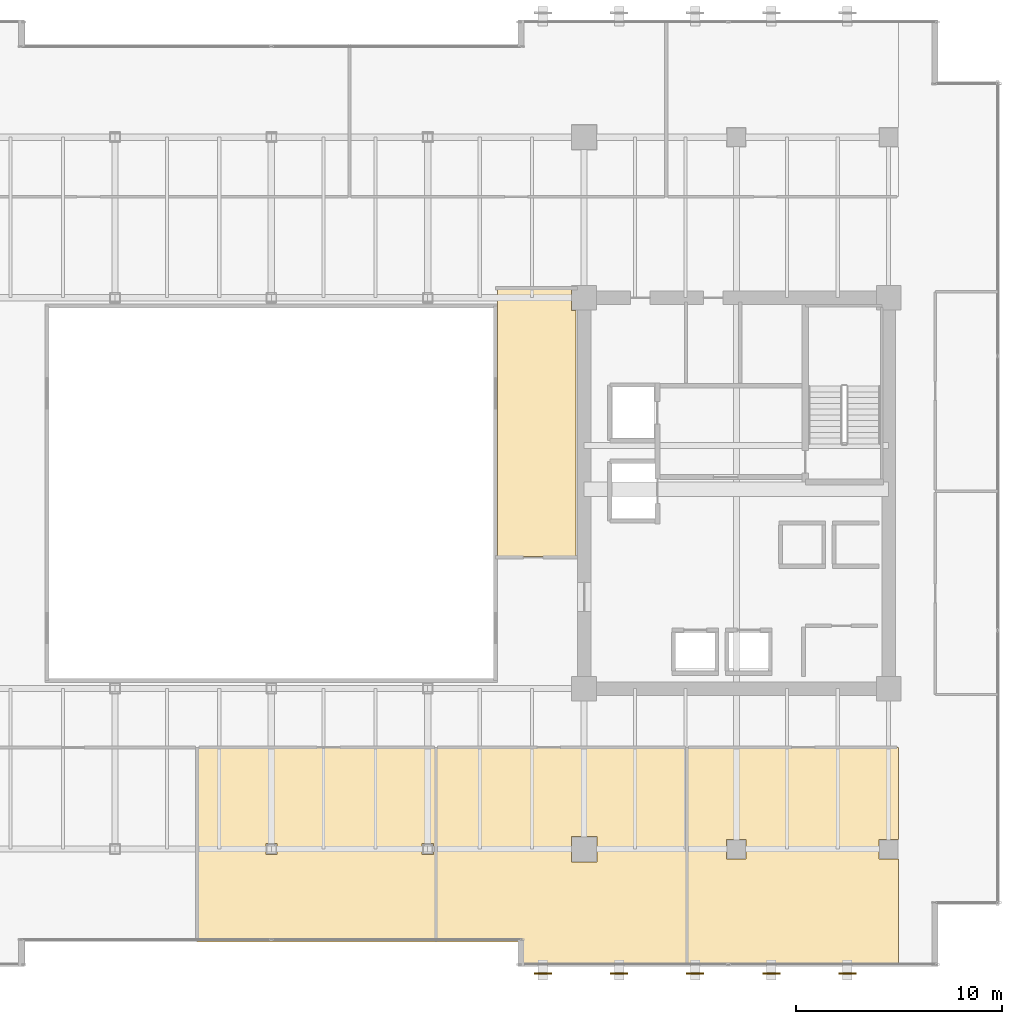
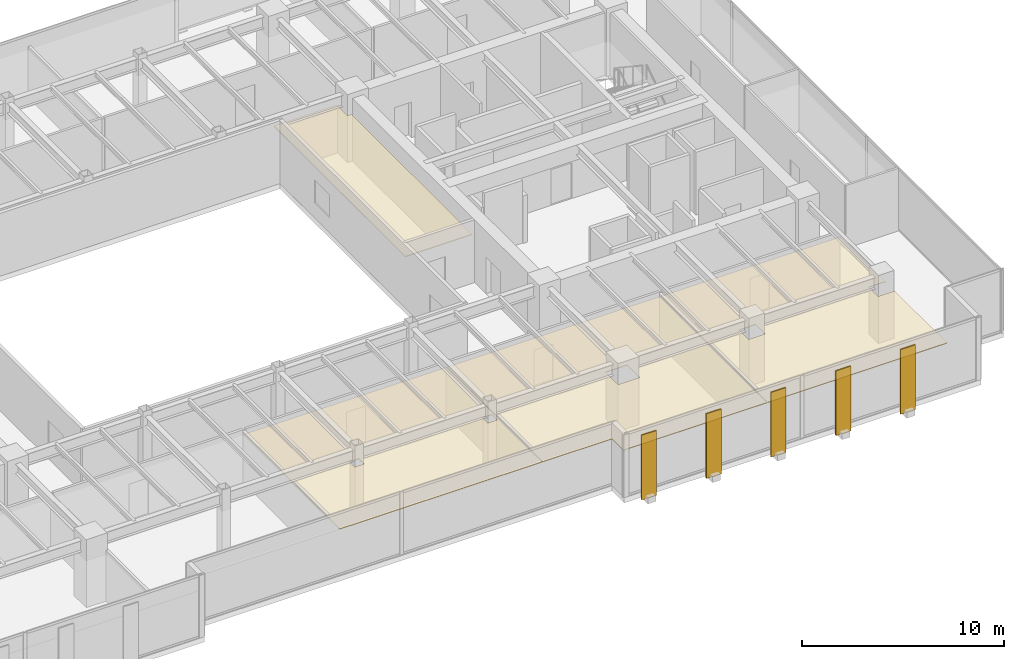
# One storey, part 32 of 34: 5 shading devices, 4 coverings.
"""IFC4 building model written with IfcOpenShell, lengths in metres."""

import ifcopenshell
import ifcopenshell.guid

model = None  # the IFC model being written
_history = None  # IfcOwnerHistory: only IFC2X3 demands one
_inside = {}  # id of a spatial element -> (the spatial element, [elements in it])
_under = {}  # id of a project, library or spatial element -> (it, [spatial elements below it])
_declared = {}  # id of a project -> (the project, [libraries it declares])
_typed = {}  # id of a type object -> (the type object, [elements of that type])
_made_of = {}  # id of a material, layer set ... -> (it, [elements and type objects made of it])


def new_model(schema):
    """Start an empty IFC model of exactly this schema.

    Asked for "IFC4X3", IfcOpenShell would pick the latest addendum, in which some entities
    have other attributes; the version numbers below select the first issue.
    IFC2X3 requires an IfcOwnerHistory on every rooted entity: one is made here for all.
    """
    global model, _history
    if schema == "IFC4X3":
        model = ifcopenshell.file(schema_version=(4, 3, 0, 0))
    else:
        model = ifcopenshell.file(schema=schema)
    _inside.clear()
    _under.clear()
    _declared.clear()
    _typed.clear()
    _made_of.clear()
    _history = None
    if model.schema == "IFC2X3":
        org = make("IfcOrganization", Name="unknown")
        user = make(
            "IfcPersonAndOrganization",
            ThePerson=make("IfcPerson", FamilyName="unknown"),
            TheOrganization=org,
        )
        app = make(
            "IfcApplication",
            ApplicationDeveloper=org,
            Version="unknown",
            ApplicationFullName="unknown",
            ApplicationIdentifier="unknown",
        )
        _history = make(
            "IfcOwnerHistory",
            OwningUser=user,
            OwningApplication=app,
            ChangeAction="ADDED",
            CreationDate=0,
        )
    return model


def make(cls, **values):
    """One entity of the class cls with the attributes given. An attribute that is None is left unset."""
    return model.create_entity(
        cls, **{name: value for name, value in values.items() if value is not None}
    )


def rooted(cls, **values):
    """An entity with a GlobalId (a new one), such as an element, a storey or a relation."""
    return make(cls, GlobalId=ifcopenshell.guid.new(), OwnerHistory=_history, **values)


def si_unit(unit_type, name, prefix=None):
    """IfcSIUnit, for example si_unit("LENGTHUNIT", "METRE", prefix="MILLI")."""
    return make("IfcSIUnit", UnitType=unit_type, Prefix=prefix, Name=name)


def assignment(units):
    """IfcUnitAssignment: the units of a project."""
    return None if units is None else make("IfcUnitAssignment", Units=units)


def point(xyz):
    """IfcCartesianPoint."""
    return None if xyz is None else make("IfcCartesianPoint", Coordinates=xyz)


def direction(xyz):
    """IfcDirection."""
    return None if xyz is None else make("IfcDirection", DirectionRatios=xyz)


def frame(location, z_axis=None, x_axis=None):
    """IfcAxis2Placement3D, a coordinate frame: its origin and axes. An axis left out is left unset."""
    return make(
        "IfcAxis2Placement3D",
        Location=point(location),
        Axis=direction(z_axis),
        RefDirection=direction(x_axis),
    )


def frame_2d(location, x_axis=None):
    """IfcAxis2Placement2D, a coordinate frame in the plane: its origin and x axis."""
    return make(
        "IfcAxis2Placement2D", Location=point(location), RefDirection=direction(x_axis)
    )


def origin():
    """The frame at (0, 0, 0) with its axes left unset."""
    return frame((0.0, 0.0, 0.0))


def origin_2d():
    """The frame at (0, 0) in the plane with its x axis left unset."""
    return frame_2d((0.0, 0.0))


def place(relative_to, where):
    """IfcLocalPlacement: puts the frame where relative to a parent placement (None: the world)."""
    return make(
        "IfcLocalPlacement", PlacementRelTo=relative_to, RelativePlacement=where
    )


def context(
    kind, dimensions, precision=None, world=None, true_north=None, identifier=None
):
    """IfcGeometricRepresentationContext, for example the 3D "Model" context."""
    return make(
        "IfcGeometricRepresentationContext",
        ContextIdentifier=identifier,
        ContextType=kind,
        CoordinateSpaceDimension=dimensions,
        Precision=precision,
        WorldCoordinateSystem=world,
        TrueNorth=true_north,
    )


def subcontext(parent, identifier, kind, view, scale=None):
    """IfcGeometricRepresentationSubContext, for example "Body" below "Model"."""
    return make(
        "IfcGeometricRepresentationSubContext",
        ContextIdentifier=identifier,
        ContextType=kind,
        ParentContext=parent,
        TargetScale=scale,
        TargetView=view,
    )


def project(units=None, contexts=None):
    """IfcProject with its units and contexts."""
    return rooted(
        "IfcProject",
        Name="project",
        RepresentationContexts=contexts,
        UnitsInContext=assignment(units),
    )


def spatial(cls, under=None, at=None, **own):
    """A site, building, storey or space (cls), placed at a placement, below another one or the project."""
    s = rooted(cls, ObjectPlacement=at, **own)
    if under is not None:
        _under.setdefault(under.id(), (under, []))[1].append(s)
    return s


def polyline(points):
    """IfcPolyline through the points."""
    return make("IfcPolyline", Points=[point(p) for p in points])


def profile(cls, at=None, kind="AREA", **sizes):
    """A parametric profile (cls). Its sizes go by their IFC names, for example OverallWidth=200.0."""
    return make(cls, ProfileType=kind, Position=at, **sizes)


def rectangle(**sizes):
    """IfcRectangleProfileDef."""
    return profile("IfcRectangleProfileDef", **sizes)


def outline(outer, holes=None, kind="AREA"):
    """IfcArbitraryClosedProfileDef: a profile drawn as a closed curve; with holes, ...WithVoids."""
    if holes is None:
        return make("IfcArbitraryClosedProfileDef", ProfileType=kind, OuterCurve=outer)
    return make(
        "IfcArbitraryProfileDefWithVoids",
        ProfileType=kind,
        OuterCurve=outer,
        InnerCurves=holes,
    )


def extrude(swept, where, along, depth):
    """IfcExtrudedAreaSolid: the profile swept, set in the frame where, extruded along a direction by depth."""
    return make(
        "IfcExtrudedAreaSolid",
        SweptArea=swept,
        Position=where,
        ExtrudedDirection=direction(along),
        Depth=depth,
    )


def shape(context_of_items, identifier, shape_type, items):
    """IfcShapeRepresentation: the items that make up one representation, for example the "Body"."""
    return make(
        "IfcShapeRepresentation",
        ContextOfItems=context_of_items,
        RepresentationIdentifier=identifier,
        RepresentationType=shape_type,
        Items=items,
    )


def source(mapping_origin, context_of_items, identifier, shape_type, items):
    """IfcRepresentationMap: a shape defined once, which mapped items show again and again."""
    return make(
        "IfcRepresentationMap",
        MappingOrigin=mapping_origin,
        MappedRepresentation=shape(context_of_items, identifier, shape_type, items),
    )


def transform(
    local_origin,
    x_axis=None,
    y_axis=None,
    z_axis=None,
    scale=None,
    scale2=None,
    scale3=None,
    uniform=True,
):
    """IfcCartesianTransformationOperator3D, or its non-uniform kind. x_axis, y_axis, z_axis: its Axis1, 2, 3."""
    if uniform:
        return make(
            "IfcCartesianTransformationOperator3D",
            Axis1=direction(x_axis),
            Axis2=direction(y_axis),
            LocalOrigin=point(local_origin),
            Scale=scale,
            Axis3=direction(z_axis),
        )
    return make(
        "IfcCartesianTransformationOperator3DnonUniform",
        Axis1=direction(x_axis),
        Axis2=direction(y_axis),
        LocalOrigin=point(local_origin),
        Scale=scale,
        Axis3=direction(z_axis),
        Scale2=scale2,
        Scale3=scale3,
    )


def mapped(mapping_source, mapping_target):
    """IfcMappedItem: shows the shape of a source again, moved by a transform."""
    return make(
        "IfcMappedItem", MappingSource=mapping_source, MappingTarget=mapping_target
    )


def material(Name=None, Category=None):
    """IfcMaterial."""
    return make("IfcMaterial", Name=Name, Category=Category)


def layer(
    of_material, thickness, ventilated=None, Name=None, Category=None, Priority=None
):
    """IfcMaterialLayer: one layer of a wall or slab, of a material (None: an air gap)."""
    return make(
        "IfcMaterialLayer",
        Material=of_material,
        LayerThickness=thickness,
        IsVentilated=ventilated,
        Name=Name,
        Category=Category,
        Priority=Priority,
    )


def layer_set(layers, Name=None):
    """IfcMaterialLayerSet."""
    return make("IfcMaterialLayerSet", MaterialLayers=layers, LayerSetName=Name)


def material_profile(
    of_material, cross_section, Name=None, Category=None, Priority=None
):
    """IfcMaterialProfile: a cross section and its material."""
    return make(
        "IfcMaterialProfile",
        Name=Name,
        Material=of_material,
        Profile=cross_section,
        Priority=Priority,
        Category=Category,
    )


def profile_set(profiles, Name=None, composite=None):
    """IfcMaterialProfileSet."""
    return make(
        "IfcMaterialProfileSet",
        Name=Name,
        MaterialProfiles=profiles,
        CompositeProfile=composite,
    )


def made_of(thing, what):
    """Note that an element or type object is made of a material, layer set ...; save() writes the relation."""
    if what is not None:
        _made_of.setdefault(what.id(), (what, []))[1].append(thing)
    return thing


def type_object(cls, material=None, **own):
    """A type object (cls), such as IfcWallType, which elements share."""
    return made_of(rooted(cls, **own), material)


def type_shapes(of_type, sources):
    """Give a type object the sources (RepresentationMaps) that its elements show as mapped items."""
    of_type.RepresentationMaps = sources


def element(
    cls,
    number,
    at=None,
    inside=None,
    cuts=None,
    type_object=None,
    material=None,
    context=None,
    identifier="Body",
    shape_type=None,
    held_by="IfcProductDefinitionShape",
    body=None,
    shapes=None,
    **own,
):
    """One element of the class cls, such as IfcWall. Its Tag is "e" and its number.

    at: its placement. inside: the storey or other place that contains it. cuts: it is an
    opening in that element (IfcRelVoidsElement). A single representation is given by context,
    identifier, shape_type and body (its items); several are given by shapes. held_by: the class
    of the entity that holds the representations. save() writes the other relations.
    """
    e = rooted(cls, Tag="e%d" % number, ObjectPlacement=at, **own)
    if body is not None:
        shapes = [shape(context, identifier, shape_type, body)]
    if shapes is not None:
        e.Representation = make(held_by, Representations=shapes)
    if inside is not None:
        _inside.setdefault(inside.id(), (inside, []))[1].append(e)
    if cuts is not None:
        rooted(
            "IfcRelVoidsElement", RelatingBuildingElement=cuts, RelatedOpeningElement=e
        )
    if type_object is not None:
        _typed.setdefault(type_object.id(), (type_object, []))[1].append(e)
    return made_of(e, material)


def aggregate(whole, parts):
    """IfcRelAggregates: a whole, such as a stair, and the parts it consists of."""
    return rooted("IfcRelAggregates", RelatingObject=whole, RelatedObjects=parts)


def save(model, path):
    """Write the relations noted so far, then the file.

    IfcRelAggregates (storeys below a building ...), IfcRelContainedInSpatialStructure (elements
    in a storey), IfcRelDefinesByType, IfcRelAssociatesMaterial and IfcRelDeclares: one each for
    every whole, place, type object, material and project.
    """
    for whole, parts in _under.values():
        aggregate(whole, parts)
    for where, things in _inside.values():
        rooted(
            "IfcRelContainedInSpatialStructure",
            RelatedElements=things,
            RelatingStructure=where,
        )
    for kind, things in _typed.values():
        rooted("IfcRelDefinesByType", RelatedObjects=things, RelatingType=kind)
    for what, things in _made_of.values():
        rooted("IfcRelAssociatesMaterial", RelatedObjects=things, RelatingMaterial=what)
    for by, libraries in _declared.values():
        rooted("IfcRelDeclares", RelatingContext=by, RelatedDefinitions=libraries)
    model.write(path)


model = new_model("IFC4")

# Units and contexts
model_context = context("Model", 3, precision=1e-05, world=origin(), true_north=direction((0.0, 1.0)))
body_context = subcontext(model_context, "Body", "Model", "MODEL_VIEW")
ifc_project = project(units=[si_unit("LENGTHUNIT", "METRE"), si_unit("AREAUNIT", "SQUARE_METRE"), si_unit("VOLUMEUNIT", "CUBIC_METRE"), si_unit("PLANEANGLEUNIT", "RADIAN"), si_unit("MASSUNIT", "GRAM", prefix="KILO")], contexts=[model_context])

# Site, building, storey
site_placement = place(None, origin())
site = spatial("IfcSite", under=ifc_project, at=site_placement, CompositionType="ELEMENT")
building_placement = place(site_placement, origin())
building = spatial("IfcBuilding", under=site, at=building_placement, Name="Haelvirn Gate Laboratories", CompositionType="ELEMENT")
storey_placement = place(building_placement, frame((0.0, 0.0, 158.39990234375)))
storey = spatial("IfcBuildingStorey", under=building, at=storey_placement, Name="L38", CompositionType="ELEMENT", Elevation=158.39990234375)

# Coverings
ifc_material_1 = material(Name="Micro-perforated acoustic mineral-fibre laboratory ceiling")
ifc_layer = layer(ifc_material_1, 0.0400390625, Name="COV-CEIL-ACT")
ifc_layer_set = layer_set([ifc_layer], Name="Micro-perforated acoustic mineral-fibre laboratory ceiling")
covering_type = type_object("IfcCoveringType", Name="COV-CEIL-ACT", PredefinedType="CEILING", material=ifc_layer_set)
covering_1_placement = place(storey_placement, frame((0.0, 0.0, 2.820068359375)))
element("IfcCovering", 1, at=covering_1_placement, inside=storey, type_object=covering_type, Name="L38 Laboratory Acoustic Ceiling CEIL-SP-L38-ATRIUM-SEM", PredefinedType="CEILING", context=body_context, shape_type="SweptSolid", body=[
    extrude(outline(polyline([(52.2099609375, 21.219970703125), (48.389892578125, 21.219970703125), (48.389892578125, 34.239990234375), (51.97998046875, 34.239990234375), (51.97998046875, 33.179931640625), (52.2099609375, 33.179931640625), (52.2099609375, 21.219970703125)])), origin(), (0.0, 0.0, 1.0), 0.0400390625),
])
covering_2_placement = place(storey_placement, frame((0.0, 0.0, 2.820068359375)))
element("IfcCovering", 2, at=covering_2_placement, inside=storey, type_object=covering_type, Name="L38 Laboratory Acoustic Ceiling CEIL-SP-L38-S-04", PredefinedType="CEILING", context=body_context, shape_type="SweptSolid", body=[
    extrude(outline(polyline([(45.3798828125, 11.929931640625), (45.3798828125, 2.47998046875), (33.820068359375, 2.47998046875), (33.820068359375, 11.929931640625), (45.3798828125, 11.929931640625)]), holes=[polyline([(37.1298828125, 7.27001953125), (37.1298828125, 6.72998046875), (37.669921875, 6.72998046875), (37.669921875, 7.27001953125), (37.1298828125, 7.27001953125)]), polyline([(45.27001953125, 7.27001953125), (44.72998046875, 7.27001953125), (44.72998046875, 6.72998046875), (45.27001953125, 6.72998046875), (45.27001953125, 7.27001953125)])]), origin(), (0.0, 0.0, 1.0), 0.0400390625),
])
covering_3_placement = place(storey_placement, frame((0.0, 0.0, 2.820068359375)))
element("IfcCovering", 3, at=covering_3_placement, inside=storey, type_object=covering_type, Name="L38 Laboratory Acoustic Ceiling CEIL-SP-L38-S-05", PredefinedType="CEILING", context=body_context, shape_type="SweptSolid", body=[
    extrude(outline(polyline([(45.419921875, 2.47998046875), (45.419921875, 11.929931640625), (57.580078125, 11.929931640625), (57.580078125, 1.35009765625), (49.3798828125, 1.35009765625), (49.3798828125, 2.47998046875), (45.419921875, 2.47998046875)]), holes=[polyline([(53.219970703125, 7.6201171875), (51.97998046875, 7.6201171875), (51.97998046875, 6.3798828125), (53.219970703125, 6.3798828125), (53.219970703125, 7.6201171875)])]), origin(), (0.0, 0.0, 1.0), 0.0400390625),
])
covering_4_placement = place(storey_placement, frame((0.0, 0.0, 2.820068359375)))
element("IfcCovering", 4, at=covering_4_placement, inside=storey, type_object=covering_type, Name="L38 Laboratory Acoustic Ceiling CEIL-SP-L38-S-06", PredefinedType="CEILING", context=body_context, shape_type="SweptSolid", body=[
    extrude(outline(polyline([(67.8798828125, 6.590087890625), (67.8798828125, 1.35009765625), (57.6201171875, 1.35009765625), (57.6201171875, 11.929931640625), (67.8798828125, 11.929931640625), (67.8798828125, 7.409912109375), (67.8701171875, 7.409912109375), (67.8701171875, 7.469970703125), (66.929931640625, 7.469970703125), (66.929931640625, 6.530029296875), (67.8701171875, 6.530029296875), (67.8701171875, 6.590087890625), (67.8798828125, 6.590087890625)]), holes=[polyline([(59.530029296875, 7.469970703125), (59.530029296875, 6.530029296875), (60.469970703125, 6.530029296875), (60.469970703125, 7.469970703125), (59.530029296875, 7.469970703125)])]), origin(), (0.0, 0.0, 1.0), 0.0400390625),
])

# Shading devices
ifc_material_2 = material(Name="Extruded aluminium 6063-T6 (anodised bronze)", Category="aluminium")
ifc_material_profile = material_profile(ifc_material_2, rectangle(XDim=0.074951171875, YDim=0.85009765625, at=origin_2d()), Name="FIN-850x75")
ifc_profile_set = profile_set([ifc_material_profile], Name="Extruded aluminium 6063-T6 (anodised bronze)")
shading_device_type = type_object("IfcShadingDeviceType", Name="SHD-FIN-850", PredefinedType="USERDEFINED", material=ifc_profile_set)
shared_shape = source(origin(), body_context, "Body", "SweptSolid", [
    extrude(rectangle(XDim=0.074951171875, YDim=0.85009765625, at=origin_2d()), origin(), (0.0, 0.0, 1.0), 3.909912109375),
])
type_shapes(shading_device_type, [shared_shape])
for number, where, z_axis, x_axis, name in (
    (5, (50.60009765625, 0.955078125, -0.179931640625), (0.0, 0.0, 1.0), (0.006981260298, 0.999975630705, 0.0), "L38 Fluted Bronze Vertical Fin S06"),
    (6, (54.300048828125, 0.955078125, -0.179931640625), (0.0, 0.0, 1.0), (0.006981260298, 0.999975630705, 0.0), "L38 Fluted Bronze Vertical Fin S07"),
    (7, (58.0, 0.955078125, -0.179931640625), (0.0, 0.0, 1.0), (0.006981260298, 0.999975630705, 0.0), "L38 Fluted Bronze Vertical Fin S08"),
    (8, (61.699951171875, 0.955078125, -0.179931640625), (0.0, 0.0, 1.0), (0.006981260298, 0.999975630705, 0.0), "L38 Fluted Bronze Vertical Fin S09"),
    (9, (65.39990234375, 0.955078125, -0.179931640625), (0.0, 0.0, 1.0), (0.006981260298, 0.999975630705, 0.0), "L38 Fluted Bronze Vertical Fin S10"),
):
    element("IfcShadingDevice", number, at=place(storey_placement, frame(where, z_axis=z_axis, x_axis=x_axis)), inside=storey, type_object=shading_device_type, Name=name, ObjectType="FIN", PredefinedType="USERDEFINED", context=body_context, shape_type="MappedRepresentation", body=[
        mapped(shared_shape, transform((0.0, 0.0, 0.0), scale=1.0)),
    ])

save(model, "model.ifc")
